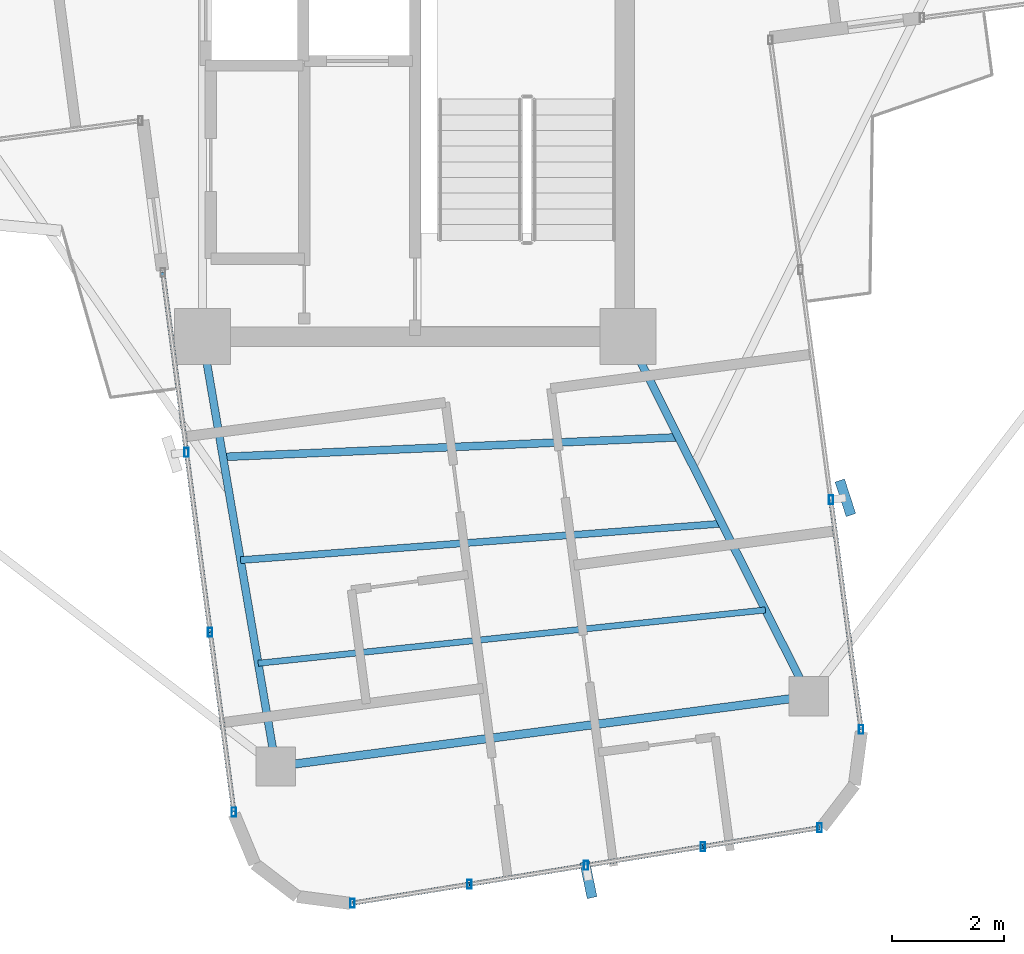
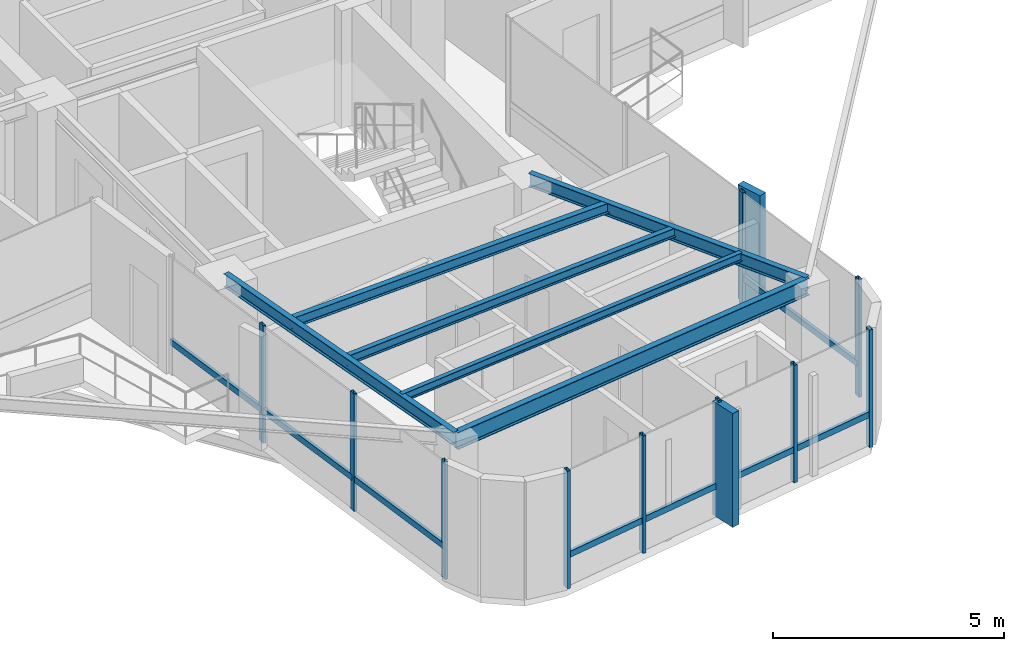
# One storey, part 4 of 21: 20 members, 6 beams, 3 elements without a shape of their own.
"""IFC4 building model written with IfcOpenShell, lengths in metres."""

from ifc_helpers import new_model, si_unit, direction, frame, origin, origin_2d, place, context, subcontext, project, spatial, rectangle, hollow_rectangle, i_section, extrude, source, transform, mapped, material, material_profile, profile_set, type_object, element, aggregate, save


model = new_model("IFC4")

# Units and contexts
model_context = context("Model", 3, precision=1e-05, world=origin(), true_north=direction((0.0, 1.0)))
body_context = subcontext(model_context, "Body", "Model", "MODEL_VIEW")
ifc_project = project(units=[si_unit("LENGTHUNIT", "METRE"), si_unit("AREAUNIT", "SQUARE_METRE"), si_unit("VOLUMEUNIT", "CUBIC_METRE"), si_unit("PLANEANGLEUNIT", "RADIAN"), si_unit("MASSUNIT", "GRAM", prefix="KILO")], contexts=[model_context])

# Site, building, storey
site_placement = place(None, origin())
site = spatial("IfcSite", under=ifc_project, at=site_placement, CompositionType="ELEMENT")
building_placement = place(site_placement, origin())
building = spatial("IfcBuilding", under=site, at=building_placement, Name="Sahyath Konkavel Grand Hotel", CompositionType="ELEMENT")
storey_placement = place(building_placement, frame((0.0, 0.0, 216.550048828125)))
storey = spatial("IfcBuildingStorey", under=building, at=storey_placement, Name="L60", CompositionType="ELEMENT", Elevation=216.550048828125)

# Beams
ifc_material_1 = material(Name="Steel E350", Category="steel")
ifc_material_profile_1 = material_profile(ifc_material_1, i_section(OverallWidth=0.139892578125, OverallDepth=0.35009765625, WebThickness=0.008056640625, FlangeThickness=0.01416015625, FilletRadius=0.013916015625, at=origin_2d()), Name="ISMB 350")
ifc_profile_set_1 = profile_set([ifc_material_profile_1], Name="Steel E350")
beam_type_1 = type_object("IfcBeamType", Name="BM-ISMB350", PredefinedType="BEAM", material=ifc_profile_set_1)
shared_shape_1 = source(origin(), body_context, "Body", "SweptSolid", [
    extrude(i_section(OverallWidth=0.139892578125, OverallDepth=0.35009765625, WebThickness=0.008056640625, FlangeThickness=0.01416015625, FilletRadius=0.013916015625, at=origin_2d()), origin(), (0.0, 0.0, 1.0), 7.7890625),
])
beam_1_placement = place(storey_placement, frame((-3.800048828125, -10.199951171875, 2.93505859375), z_axis=(0.168473997649, -0.985706098244, 0.0), x_axis=(0.985706098244, 0.168473997649, 0.0)))
element("IfcBeam", 1, at=beam_1_placement, inside=storey, type_object=beam_type_1, Name="L60 Cruciform Radial Girder SA", PredefinedType="BEAM", context=body_context, shape_type="MappedRepresentation", body=[
    mapped(shared_shape_1, transform((0.0, 0.0, 0.0), scale=1.0)),
])
shared_shape_2 = source(origin(), body_context, "Body", "SweptSolid", [
    extrude(i_section(OverallWidth=0.139892578125, OverallDepth=0.35009765625, WebThickness=0.008056640625, FlangeThickness=0.01416015625, FilletRadius=0.013916015625, at=origin_2d()), origin(), (0.0, 0.0, 1.0), 7.19091796875),
])
beam_2_placement = place(storey_placement, frame((3.800048828125, -10.199951171875, 2.93505859375), z_axis=(0.4491817134, -0.893440422383, 0.0), x_axis=(0.893440422383, 0.4491817134, 0.0)))
element("IfcBeam", 2, at=beam_2_placement, inside=storey, type_object=beam_type_1, Name="L60 Cruciform Radial Girder SB", PredefinedType="BEAM", context=body_context, shape_type="MappedRepresentation", body=[
    mapped(shared_shape_2, transform((0.0, 0.0, 0.0), scale=1.0)),
])
ifc_material_profile_2 = material_profile(ifc_material_1, i_section(OverallWidth=0.14990234375, OverallDepth=0.449951171875, WebThickness=0.009521484375, FlangeThickness=0.017333984375, FilletRadius=0.014892578125, at=origin_2d()), Name="ISMB 450")
ifc_profile_set_2 = profile_set([ifc_material_profile_2], Name="Steel E350")
beam_type_2 = type_object("IfcBeamType", Name="BM-ISMB450", PredefinedType="BEAM", material=ifc_profile_set_2)
shared_shape_3 = source(origin(), body_context, "Body", "SweptSolid", [
    extrude(i_section(OverallWidth=0.14990234375, OverallDepth=0.449951171875, WebThickness=0.009521484375, FlangeThickness=0.017333984375, FilletRadius=0.014892578125, at=origin_2d()), origin(), (0.0, 0.0, 1.0), 9.599853515625),
])
beam_3_placement = place(storey_placement, frame((-2.48779296875, -17.877685546875, 2.885009765625), z_axis=(0.991443125639, 0.130539375757, 0.0), x_axis=(-0.130539375757, 0.991443125639, 0.0)))
element("IfcBeam", 3, at=beam_3_placement, inside=storey, type_object=beam_type_2, Name="L60 Wing Tip Edge Beam S", PredefinedType="BEAM", context=body_context, shape_type="MappedRepresentation", body=[
    mapped(shared_shape_3, transform((0.0, 0.0, 0.0), scale=1.0)),
])
ifc_material_profile_3 = material_profile(ifc_material_1, i_section(OverallWidth=0.139892578125, OverallDepth=0.27490234375, WebThickness=0.00634765625, FlangeThickness=0.0087890625, FilletRadius=0.012939453125, at=origin_2d()), Name="ISLB 275")
ifc_profile_set_3 = profile_set([ifc_material_profile_3], Name="Steel E350")
beam_type_3 = type_object("IfcBeamType", Name="BM-ISLB275", PredefinedType="BEAM", material=ifc_profile_set_3)
shared_shape_4 = source(origin(), body_context, "Body", "SweptSolid", [
    extrude(i_section(OverallWidth=0.139892578125, OverallDepth=0.27490234375, WebThickness=0.00634765625, FlangeThickness=0.0087890625, FilletRadius=0.012939453125, at=origin_2d()), origin(), (0.0, 0.0, 1.0), 8.14453125),
])
beam_4_placement = place(storey_placement, frame((-3.4326171875, -12.349853515625, 2.972412109375), z_axis=(0.999070525707, 0.043105506195, 0.0), x_axis=(-0.043105506195, 0.999070525707, 0.0)))
element("IfcBeam", 4, at=beam_4_placement, inside=storey, type_object=beam_type_3, Name="L60 Secondary Floor Beam S-1", PredefinedType="BEAM", context=body_context, shape_type="MappedRepresentation", body=[
    mapped(shared_shape_4, transform((0.0, 0.0, 0.0), scale=1.0)),
])
ifc_material_profile_4 = material_profile(ifc_material_1, i_section(OverallWidth=0.125, OverallDepth=0.25, WebThickness=0.0068359375, FlangeThickness=0.012451171875, FilletRadius=0.012939453125, at=origin_2d()), Name="ISMB 250")
ifc_profile_set_4 = profile_set([ifc_material_profile_4], Name="Steel E350")
beam_type_4 = type_object("IfcBeamType", Name="BM-ISMB250", PredefinedType="BEAM", material=ifc_profile_set_4)
shared_shape_5 = source(origin(), body_context, "Body", "SweptSolid", [
    extrude(i_section(OverallWidth=0.125, OverallDepth=0.25, WebThickness=0.0068359375, FlangeThickness=0.012451171875, FilletRadius=0.012939453125, at=origin_2d()), origin(), (0.0, 0.0, 1.0), 8.6220703125),
])
beam_5_placement = place(storey_placement, frame((-3.11767578125, -14.1923828125, 2.98486328125), z_axis=(0.997140134449, 0.075574812405, 0.0), x_axis=(-0.075574812405, 0.997140134449, 0.0)))
element("IfcBeam", 5, at=beam_5_placement, inside=storey, type_object=beam_type_4, Name="L60 Secondary Floor Beam S-2", PredefinedType="BEAM", context=body_context, shape_type="MappedRepresentation", body=[
    mapped(shared_shape_5, transform((0.0, 0.0, 0.0), scale=1.0)),
])
ifc_material_profile_5 = material_profile(ifc_material_1, i_section(OverallWidth=0.110107421875, OverallDepth=0.22509765625, WebThickness=0.006591796875, FlangeThickness=0.01171875, FilletRadius=0.011962890625, at=origin_2d()), Name="ISMB 225")
ifc_profile_set_5 = profile_set([ifc_material_profile_5], Name="Steel E350")
beam_type_5 = type_object("IfcBeamType", Name="BM-ISMB225", PredefinedType="BEAM", material=ifc_profile_set_5)
shared_shape_6 = source(origin(), body_context, "Body", "SweptSolid", [
    extrude(i_section(OverallWidth=0.110107421875, OverallDepth=0.22509765625, WebThickness=0.006591796875, FlangeThickness=0.01171875, FilletRadius=0.011962890625, at=origin_2d()), origin(), (0.0, 0.0, 1.0), 9.107666015625),
])
beam_6_placement = place(storey_placement, frame((-2.802734375, -16.03515625, 2.99755859375), z_axis=(0.994517344132, 0.10457175632, 0.0), x_axis=(-0.10457175632, 0.994517344132, 0.0)))
element("IfcBeam", 6, at=beam_6_placement, inside=storey, type_object=beam_type_5, Name="L60 Secondary Floor Beam S-3", PredefinedType="BEAM", context=body_context, shape_type="MappedRepresentation", body=[
    mapped(shared_shape_6, transform((0.0, 0.0, 0.0), scale=1.0)),
])

# Curtain wall, members
ifc_material_2 = material(Name="Anodised Bronze Aluminium & Low-E Glazing", Category="aluminium")
curtain_wall_type = type_object("IfcCurtainWallType", Name="CW-ZONE4", PredefinedType="NOTDEFINED", material=ifc_material_2)
curtain_wall_1_placement = place(storey_placement, origin())
curtain_wall_1 = element("IfcCurtainWall", 7, at=curtain_wall_1_placement, inside=storey, type_object=curtain_wall_type, Name="L60 Unitised Curtain Wall F24", PredefinedType="NOTDEFINED")
ifc_material_3 = material(Name="Anodised Bronze Aluminium", Category="aluminium")
ifc_material_profile_6 = material_profile(ifc_material_3, hollow_rectangle(XDim=0.080078125, YDim=0.159912109375, WallThickness=0.006103515625, at=origin_2d()), Name="RHS 160x80x6")
ifc_profile_set_6 = profile_set([ifc_material_profile_6], Name="Anodised Bronze Aluminium")
member_type_1 = type_object("IfcMemberType", Name="CW-MUL-160", PredefinedType="MULLION", material=ifc_profile_set_6)
shared_shape_7 = source(origin(), body_context, "Body", "SweptSolid", [
    extrude(hollow_rectangle(XDim=0.080078125, YDim=0.159912109375, WallThickness=0.006103515625, at=origin_2d()), origin(), (0.0, 0.0, 1.0), 3.10986328125),
])
member_1_placement = place(storey_placement, frame((-4.083740234375, -12.26806640625, 0.0), z_axis=(0.0, 0.0, 1.0), x_axis=(1.0, 0.0, 0.0)))
member_1 = element("IfcMember", 8, at=member_1_placement, type_object=member_type_1, Name="L60 Curtain Wall Mullion F24-1", PredefinedType="MULLION", context=body_context, shape_type="MappedRepresentation", body=[
    mapped(shared_shape_7, transform((0.0, 0.0, 0.0), scale=1.0)),
])
member_2_placement = place(storey_placement, frame((-3.66064453125, -15.480224609375, 0.0), z_axis=(0.0, 0.0, 1.0), x_axis=(1.0, 0.0, 0.0)))
member_2 = element("IfcMember", 9, at=member_2_placement, type_object=member_type_1, Name="L60 Curtain Wall Mullion F24-2", PredefinedType="MULLION", context=body_context, shape_type="MappedRepresentation", body=[
    mapped(shared_shape_7, transform((0.0, 0.0, 0.0), scale=1.0)),
])
member_3_placement = place(storey_placement, frame((-3.23779296875, -18.6923828125, 0.0), z_axis=(0.0, 0.0, 1.0), x_axis=(1.0, 0.0, 0.0)))
member_3 = element("IfcMember", 10, at=member_3_placement, type_object=member_type_1, Name="L60 Curtain Wall Mullion F24-3", PredefinedType="MULLION", context=body_context, shape_type="MappedRepresentation", body=[
    mapped(shared_shape_7, transform((0.0, 0.0, 0.0), scale=1.0)),
])

curtain_wall_2_placement = place(storey_placement, origin())
curtain_wall_2 = element("IfcCurtainWall", 11, at=curtain_wall_2_placement, inside=storey, type_object=curtain_wall_type, Name="L60 Unitised Curtain Wall F28", PredefinedType="NOTDEFINED")
member_4_placement = place(storey_placement, frame((-1.117431640625, -20.318603515625, 0.0), z_axis=(0.0, 0.0, 1.0), x_axis=(1.0, 0.0, 0.0)))
member_4 = element("IfcMember", 12, at=member_4_placement, type_object=member_type_1, Name="L60 Curtain Wall Mullion F28-0", PredefinedType="MULLION", context=body_context, shape_type="MappedRepresentation", body=[
    mapped(shared_shape_7, transform((0.0, 0.0, 0.0), scale=1.0)),
])
member_5_placement = place(storey_placement, frame((0.9677734375, -19.982177734375, 0.0), z_axis=(0.0, 0.0, 1.0), x_axis=(1.0, 0.0, 0.0)))
member_5 = element("IfcMember", 13, at=member_5_placement, type_object=member_type_1, Name="L60 Curtain Wall Mullion F28-1", PredefinedType="MULLION", context=body_context, shape_type="MappedRepresentation", body=[
    mapped(shared_shape_7, transform((0.0, 0.0, 0.0), scale=1.0)),
])
member_6_placement = place(storey_placement, frame((3.052734375, -19.6455078125, 0.0), z_axis=(0.0, 0.0, 1.0), x_axis=(1.0, 0.0, 0.0)))
member_6 = element("IfcMember", 14, at=member_6_placement, type_object=member_type_1, Name="L60 Curtain Wall Mullion F28-2", PredefinedType="MULLION", context=body_context, shape_type="MappedRepresentation", body=[
    mapped(shared_shape_7, transform((0.0, 0.0, 0.0), scale=1.0)),
])
member_7_placement = place(storey_placement, frame((5.137939453125, -19.30908203125, 0.0), z_axis=(0.0, 0.0, 1.0), x_axis=(1.0, 0.0, 0.0)))
member_7 = element("IfcMember", 15, at=member_7_placement, type_object=member_type_1, Name="L60 Curtain Wall Mullion F28-3", PredefinedType="MULLION", context=body_context, shape_type="MappedRepresentation", body=[
    mapped(shared_shape_7, transform((0.0, 0.0, 0.0), scale=1.0)),
])
member_8_placement = place(storey_placement, frame((7.22314453125, -18.972900390625, 0.0), z_axis=(0.0, 0.0, 1.0), x_axis=(1.0, 0.0, 0.0)))
member_8 = element("IfcMember", 16, at=member_8_placement, type_object=member_type_1, Name="L60 Curtain Wall Mullion F28-4", PredefinedType="MULLION", context=body_context, shape_type="MappedRepresentation", body=[
    mapped(shared_shape_7, transform((0.0, 0.0, 0.0), scale=1.0)),
])

curtain_wall_3_placement = place(storey_placement, origin())
curtain_wall_3 = element("IfcCurtainWall", 17, at=curtain_wall_3_placement, inside=storey, type_object=curtain_wall_type, Name="L60 Unitised Curtain Wall F31", PredefinedType="NOTDEFINED")
member_9_placement = place(storey_placement, frame((7.965576171875, -17.217529296875, 0.0), z_axis=(0.0, 0.0, 1.0), x_axis=(1.0, 0.0, 0.0)))
member_9 = element("IfcMember", 18, at=member_9_placement, type_object=member_type_1, Name="L60 Curtain Wall Mullion F31-0", PredefinedType="MULLION", context=body_context, shape_type="MappedRepresentation", body=[
    mapped(shared_shape_7, transform((0.0, 0.0, 0.0), scale=1.0)),
])
member_10_placement = place(storey_placement, frame((7.425048828125, -13.113037109375, 0.0), z_axis=(0.0, 0.0, 1.0), x_axis=(1.0, 0.0, 0.0)))
member_10 = element("IfcMember", 19, at=member_10_placement, type_object=member_type_1, Name="L60 Curtain Wall Mullion F31-1", PredefinedType="MULLION", context=body_context, shape_type="MappedRepresentation", body=[
    mapped(shared_shape_7, transform((0.0, 0.0, 0.0), scale=1.0)),
])

# Member
ifc_material_4 = material(Name="Warm Buff Sandstone Cladding on Concrete C50/60", Category="masonry")
ifc_material_profile_7 = material_profile(ifc_material_4, rectangle(XDim=0.179931640625, YDim=0.64990234375, at=origin_2d()), Name="FIN 180x650")
ifc_profile_set_7 = profile_set([ifc_material_profile_7], Name="Warm Buff Sandstone Cladding on Concrete C50/60")
member_type_2 = type_object("IfcMemberType", Name="FIN-SANDSTONE-650", PredefinedType="MULLION", material=ifc_profile_set_7)
shared_shape_8 = source(origin(), body_context, "Body", "SweptSolid", [
    extrude(rectangle(XDim=0.179931640625, YDim=0.64990234375, at=origin_2d()), origin(), (0.0, 0.0, 1.0), 3.010009765625),
])
member_11_placement = place(storey_placement, frame((3.09423828125, -19.90234375, 0.050048828125), z_axis=(0.0, 0.0, 1.0), x_axis=(0.979258188767, 0.202616385647, 0.0)))
member_11 = element("IfcMember", 20, at=member_11_placement, type_object=member_type_2, Name="L60 Sandstone Vertical Solar Fin FIN F28-2", PredefinedType="MULLION", context=body_context, shape_type="MappedRepresentation", body=[
    mapped(shared_shape_8, transform((0.0, 0.0, 0.0), scale=1.0)),
])

member_12_placement = place(storey_placement, frame((7.682861328125, -13.0791015625, 0.050048828125), z_axis=(0.0, 0.0, 1.0), x_axis=(0.951379596601, 0.308020881065, 0.0)))
member_12 = element("IfcMember", 21, at=member_12_placement, type_object=member_type_2, Name="L60 Sandstone Vertical Solar Fin FIN F31-1", PredefinedType="MULLION", context=body_context, shape_type="MappedRepresentation", body=[
    mapped(shared_shape_8, transform((0.0, 0.0, 0.0), scale=1.0)),
])

ifc_material_profile_8 = material_profile(ifc_material_3, hollow_rectangle(XDim=0.080078125, YDim=0.159912109375, WallThickness=0.006103515625, at=origin_2d()), Name="RHS 160x80x6")
ifc_profile_set_8 = profile_set([ifc_material_profile_8], Name="Anodised Bronze Aluminium")
member_type_3 = type_object("IfcMemberType", Name="CW-TRN-160", PredefinedType="USERDEFINED", material=ifc_profile_set_8)
shared_shape_9 = source(origin(), body_context, "Body", "SweptSolid", [
    extrude(hollow_rectangle(XDim=0.080078125, YDim=0.159912109375, WallThickness=0.006103515625, at=origin_2d()), origin(), (0.0, 0.0, 1.0), 3.240234375),
])
member_13_placement = place(storey_placement, frame((-4.506591796875, -9.0556640625, 0.849853515625), z_axis=(0.130505189885, -0.991447626157, 0.0), x_axis=(0.991447626157, 0.130505189885, 0.0)))
member_13 = element("IfcMember", 22, at=member_13_placement, type_object=member_type_3, Name="L60 Curtain Wall Transom F24-0-spandrel", ObjectType="TRANSOM", PredefinedType="USERDEFINED", context=body_context, shape_type="MappedRepresentation", body=[
    mapped(shared_shape_9, transform((0.0, 0.0, 0.0), scale=1.0)),
])

shared_shape_10 = source(origin(), body_context, "Body", "SweptSolid", [
    extrude(hollow_rectangle(XDim=0.080078125, YDim=0.159912109375, WallThickness=0.006103515625, at=origin_2d()), origin(), (0.0, 0.0, 1.0), 3.239990234375),
])
member_14_placement = place(storey_placement, frame((-4.083740234375, -12.26806640625, 0.849853515625), z_axis=(0.130589010341, -0.991436589187, 0.0), x_axis=(0.991436589187, 0.130589010341, 0.0)))
member_14 = element("IfcMember", 23, at=member_14_placement, type_object=member_type_3, Name="L60 Curtain Wall Transom F24-1-spandrel", ObjectType="TRANSOM", PredefinedType="USERDEFINED", context=body_context, shape_type="MappedRepresentation", body=[
    mapped(shared_shape_10, transform((0.0, 0.0, 0.0), scale=1.0)),
])

member_15_placement = place(storey_placement, frame((-3.66064453125, -15.480224609375, 0.849853515625), z_axis=(0.130514939997, -0.991446342692, 0.0), x_axis=(0.991446342692, 0.130514939997, 0.0)))
member_15 = element("IfcMember", 24, at=member_15_placement, type_object=member_type_3, Name="L60 Curtain Wall Transom F24-2-spandrel", ObjectType="TRANSOM", PredefinedType="USERDEFINED", context=body_context, shape_type="MappedRepresentation", body=[
    mapped(shared_shape_10, transform((0.0, 0.0, 0.0), scale=1.0)),
])

aggregate(curtain_wall_1, [member_1, member_2, member_3, member_13, member_14, member_15])

shared_shape_11 = source(origin(), body_context, "Body", "SweptSolid", [
    extrude(hollow_rectangle(XDim=0.080078125, YDim=0.159912109375, WallThickness=0.006103515625, at=origin_2d()), origin(), (0.0, 0.0, 1.0), 2.112060546875),
])
member_16_placement = place(storey_placement, frame((-1.117431640625, -20.318603515625, 0.849853515625), z_axis=(0.987233499712, 0.159279681841, 0.0), x_axis=(-0.159279681841, 0.987233499712, 0.0)))
member_16 = element("IfcMember", 25, at=member_16_placement, type_object=member_type_3, Name="L60 Curtain Wall Transom F28-0-spandrel", ObjectType="TRANSOM", PredefinedType="USERDEFINED", context=body_context, shape_type="MappedRepresentation", body=[
    mapped(shared_shape_11, transform((0.0, 0.0, 0.0), scale=1.0)),
])

member_17_placement = place(storey_placement, frame((0.9677734375, -19.982177734375, 0.849853515625), z_axis=(0.98721238085, 0.159410523793, 0.0), x_axis=(-0.159410523793, 0.98721238085, 0.0)))
member_17 = element("IfcMember", 26, at=member_17_placement, type_object=member_type_3, Name="L60 Curtain Wall Transom F28-1-spandrel", ObjectType="TRANSOM", PredefinedType="USERDEFINED", context=body_context, shape_type="MappedRepresentation", body=[
    mapped(shared_shape_11, transform((0.0, 0.0, 0.0), scale=1.0)),
])

member_18_placement = place(storey_placement, frame((3.052734375, -19.6455078125, 0.849853515625), z_axis=(0.987233499712, 0.159279681841, 0.0), x_axis=(-0.159279681841, 0.987233499712, 0.0)))
member_18 = element("IfcMember", 27, at=member_18_placement, type_object=member_type_3, Name="L60 Curtain Wall Transom F28-2-spandrel", ObjectType="TRANSOM", PredefinedType="USERDEFINED", context=body_context, shape_type="MappedRepresentation", body=[
    mapped(shared_shape_11, transform((0.0, 0.0, 0.0), scale=1.0)),
])

member_19_placement = place(storey_placement, frame((5.137939453125, -19.30908203125, 0.849853515625), z_axis=(0.98725166933, 0.159167023612, 0.0), x_axis=(-0.159167023612, 0.98725166933, 0.0)))
member_19 = element("IfcMember", 28, at=member_19_placement, type_object=member_type_3, Name="L60 Curtain Wall Transom F28-3-spandrel", ObjectType="TRANSOM", PredefinedType="USERDEFINED", context=body_context, shape_type="MappedRepresentation", body=[
    mapped(shared_shape_11, transform((0.0, 0.0, 0.0), scale=1.0)),
])

aggregate(curtain_wall_2, [member_4, member_5, member_6, member_11, member_7, member_8, member_16, member_17, member_18, member_19])

shared_shape_12 = source(origin(), body_context, "Body", "SweptSolid", [
    extrude(hollow_rectangle(XDim=0.080078125, YDim=0.159912109375, WallThickness=0.006103515625, at=origin_2d()), origin(), (0.0, 0.0, 1.0), 4.139892578125),
])
member_20_placement = place(storey_placement, frame((7.965576171875, -17.217529296875, 0.849853515625), z_axis=(-0.130564346904, 0.991439837467, 0.0), x_axis=(-0.991439837467, -0.130564346904, 0.0)))
member_20 = element("IfcMember", 29, at=member_20_placement, type_object=member_type_3, Name="L60 Curtain Wall Transom F31-0-spandrel", ObjectType="TRANSOM", PredefinedType="USERDEFINED", context=body_context, shape_type="MappedRepresentation", body=[
    mapped(shared_shape_12, transform((0.0, 0.0, 0.0), scale=1.0)),
])

aggregate(curtain_wall_3, [member_9, member_10, member_12, member_20])

save(model, "model.ifc")
